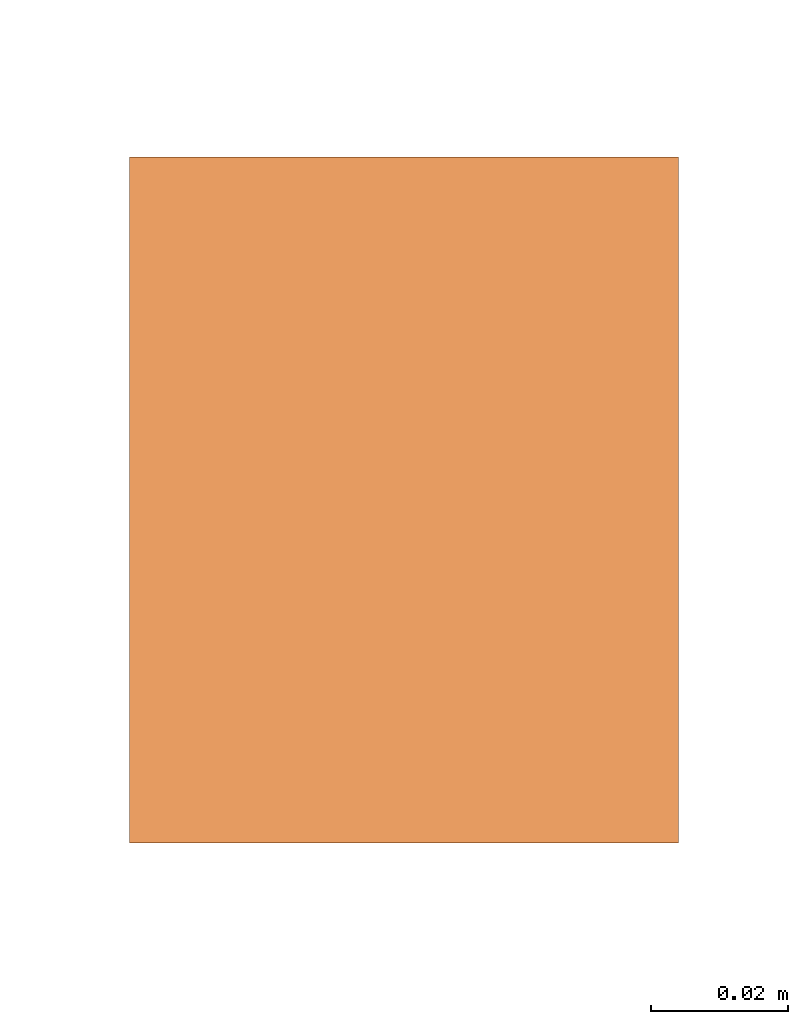
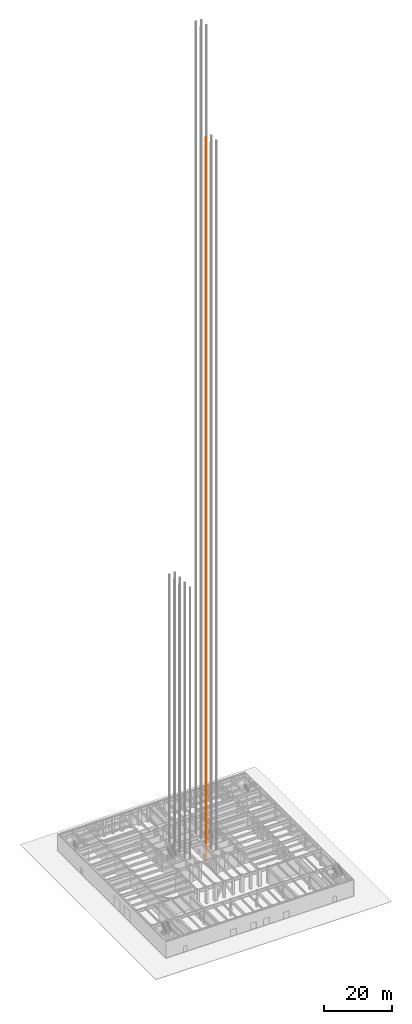
# One storey, part 30 of 35: 1 proxy.
"""IFC4 building model written with IfcOpenShell, lengths in metres."""

from ifc_helpers import new_model, si_unit, direction, frame, origin, origin_2d, place, context, subcontext, project, spatial, rectangle, extrude, material, type_object, element, save


model = new_model("IFC4")

# Units and contexts
model_context = context("Model", 3, precision=1e-05, world=origin(), true_north=direction((0.0, 1.0)))
body_context = subcontext(model_context, "Body", "Model", "MODEL_VIEW")
ifc_project = project(units=[si_unit("LENGTHUNIT", "METRE"), si_unit("AREAUNIT", "SQUARE_METRE"), si_unit("VOLUMEUNIT", "CUBIC_METRE"), si_unit("PLANEANGLEUNIT", "RADIAN"), si_unit("MASSUNIT", "GRAM", prefix="KILO")], contexts=[model_context])

# Site, building, storey
site_placement = place(None, origin())
site = spatial("IfcSite", under=ifc_project, at=site_placement, CompositionType="ELEMENT")
building_placement = place(site_placement, origin())
building = spatial("IfcBuilding", under=site, at=building_placement, Name="Chuquiago Exchange Tower", CompositionType="ELEMENT")
storey_placement = place(building_placement, origin())
storey = spatial("IfcBuildingStorey", under=building, at=storey_placement, Name="L00", CompositionType="ELEMENT", Elevation=0.0)

# Proxy
ifc_material = material(Name="Galvanised steel guide rail", Category="steel")
building_element_proxy_type = type_object("IfcBuildingElementProxyType", Name="LR lift guide rail", PredefinedType="NOTDEFINED", material=ifc_material)
proxy_placement = place(storey_placement, frame((26.06494140625, 19.5, 0.0), z_axis=(0.0, 0.0, 1.0), x_axis=(1.0, 0.0, 0.0)))
element("IfcBuildingElementProxy", 1, at=proxy_placement, inside=storey, type_object=building_element_proxy_type, Name="Lift LS2 guide rail W", PredefinedType="NOTDEFINED", context=body_context, shape_type="SweptSolid", body=[
    extrude(rectangle(XDim=0.080078125, YDim=0.10009765625, at=origin_2d()), origin(), (0.0, 0.0, 1.0), 260.60009765625),
])

save(model, "model.ifc")
